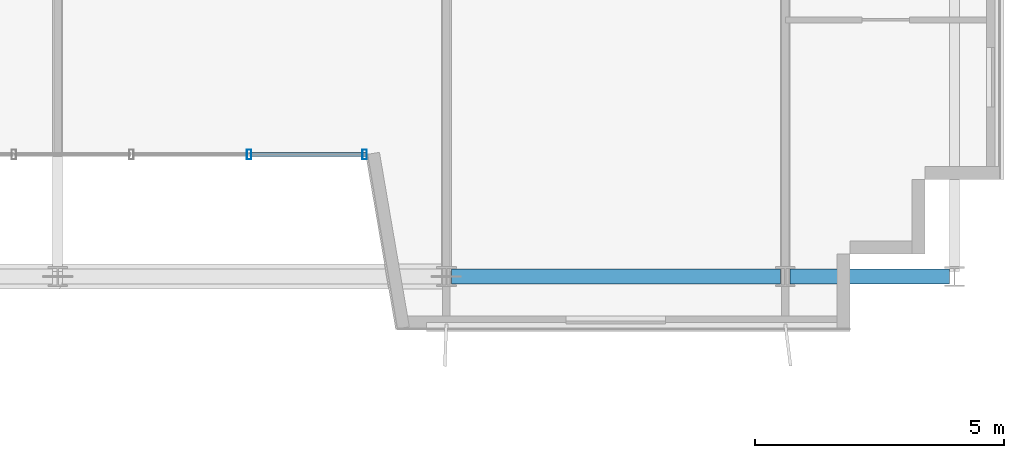
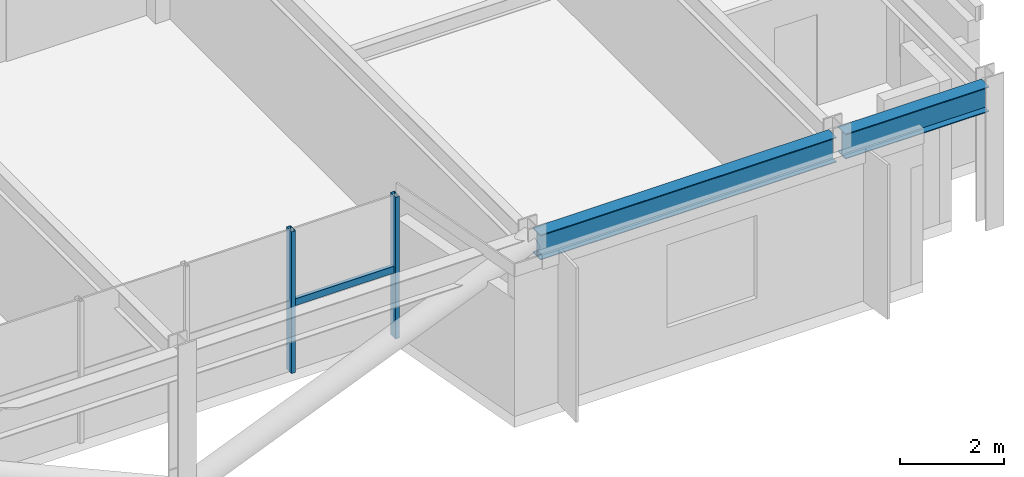
# One storey, part 7 of 26: 3 members, 2 beams, 1 element without a shape of its own.
"""IFC4 building model written with IfcOpenShell, lengths in metres."""

from ifc_helpers import new_model, si_unit, direction, frame, origin, origin_2d, place, context, subcontext, project, spatial, hollow_rectangle, i_section, extrude, source, transform, mapped, material, material_profile, profile_set, type_object, element, aggregate, save


model = new_model("IFC4")

# Units and contexts
model_context = context("Model", 3, precision=1e-05, world=origin(), true_north=direction((0.0, 1.0)))
body_context = subcontext(model_context, "Body", "Model", "MODEL_VIEW")
ifc_project = project(units=[si_unit("LENGTHUNIT", "METRE"), si_unit("AREAUNIT", "SQUARE_METRE"), si_unit("VOLUMEUNIT", "CUBIC_METRE"), si_unit("PLANEANGLEUNIT", "RADIAN"), si_unit("MASSUNIT", "GRAM", prefix="KILO")], contexts=[model_context])

# Site, building, storey
site_placement = place(None, origin())
site = spatial("IfcSite", under=ifc_project, at=site_placement, CompositionType="ELEMENT")
building_placement = place(site_placement, origin())
building = spatial("IfcBuilding", under=site, at=building_placement, Name="Trelvane Seafront Commons", CompositionType="ELEMENT")
storey_placement = place(building_placement, frame((0.0, 0.0, 124.89990234375)))
storey = spatial("IfcBuildingStorey", under=building, at=storey_placement, Name="L32", CompositionType="ELEMENT", Elevation=124.89990234375)

# Beams
ifc_material_1 = material(Name="Steel SM355 (S355)", Category="steel")
ifc_material_profile_1 = material_profile(ifc_material_1, i_section(OverallWidth=0.300048828125, OverallDepth=0.587890625, WebThickness=0.011962890625, FlangeThickness=0.02001953125, at=origin_2d()), Name="H-588x300x12x20")
ifc_profile_set_1 = profile_set([ifc_material_profile_1], Name="Steel SM355 (S355)")
beam_type = type_object("IfcBeamType", Name="STR-BM-H588", PredefinedType="BEAM", material=ifc_profile_set_1)
shared_shape_1 = source(origin(), body_context, "Body", "SweptSolid", [
    extrude(i_section(OverallWidth=0.300048828125, OverallDepth=0.587890625, WebThickness=0.011962890625, FlangeThickness=0.02001953125, at=origin_2d()), origin(), (0.0, 0.0, 1.0), 3.199951171875),
])
beam_1_placement = place(storey_placement, frame((65.699951171875, 3.949951171875, 3.046142578125), z_axis=(1.0, 0.0, 0.0), x_axis=(0.0, 1.0, 0.0)))
element("IfcBeam", 1, at=beam_1_placement, inside=storey, type_object=beam_type, Name="L32 Primary Girder G-09", PredefinedType="BEAM", context=body_context, shape_type="MappedRepresentation", body=[
    mapped(shared_shape_1, transform((0.0, 0.0, 0.0), x_axis=(1.0, 0.0, 0.0), y_axis=(0.0, 1.0, 0.0), z_axis=(0.0, 0.0, 1.0), scale=1.0)),
])
shared_shape_2 = source(origin(), body_context, "Body", "SweptSolid", [
    extrude(i_section(OverallWidth=0.300048828125, OverallDepth=0.587890625, WebThickness=0.011962890625, FlangeThickness=0.02001953125, at=origin_2d()), origin(), (0.0, 0.0, 1.0), 6.60009765625),
])
beam_2_placement = place(storey_placement, frame((58.89990234375, 3.949951171875, 3.046142578125), z_axis=(1.0, 0.0, 0.0), x_axis=(0.0, 1.0, 0.0)))
element("IfcBeam", 2, at=beam_2_placement, inside=storey, type_object=beam_type, Name="L32 Primary Girder G-08", PredefinedType="BEAM", context=body_context, shape_type="MappedRepresentation", body=[
    mapped(shared_shape_2, transform((0.0, 0.0, 0.0), x_axis=(1.0, 0.0, 0.0), y_axis=(0.0, 1.0, 0.0), z_axis=(0.0, 0.0, 1.0), scale=1.0)),
])

# Curtain wall, members
ifc_material_2 = material(Name="Anodised pale-silver aluminium", Category="aluminium")
curtain_wall_type = type_object("IfcCurtainWallType", Name="ARCH-CW3-PORTAL", PredefinedType="NOTDEFINED", material=ifc_material_2)
curtain_wall_placement = place(storey_placement, origin())
curtain_wall = element("IfcCurtainWall", 3, at=curtain_wall_placement, inside=storey, type_object=curtain_wall_type, Name="CW-L32-VN-0058", PredefinedType="NOTDEFINED")
ifc_material_profile_2 = material_profile(ifc_material_2, hollow_rectangle(XDim=0.090087890625, YDim=0.199951171875, WallThickness=0.0048828125, at=origin_2d()), Name="MULL-90x200x5")
ifc_profile_set_2 = profile_set([ifc_material_profile_2], Name="Anodised pale-silver aluminium")
member_type_1 = type_object("IfcMemberType", Name="ARCH-CW-MULL-200", PredefinedType="MULLION", material=ifc_profile_set_2)
shared_shape_3 = source(origin(), body_context, "Body", "SweptSolid", [
    extrude(hollow_rectangle(XDim=0.090087890625, YDim=0.199951171875, WallThickness=0.0048828125, at=origin_2d()), origin(), (0.0, 0.0, 1.0), 3.340087890625),
])
member_1_placement = place(storey_placement, frame((57.159912109375, 6.39990234375, 0.0), z_axis=(0.0, 0.0, 1.0), x_axis=(1.0, 0.0, 0.0)))
member_1 = element("IfcMember", 4, at=member_1_placement, type_object=member_type_1, Name="CW-L32-VN-0058-M00", PredefinedType="MULLION", context=body_context, shape_type="MappedRepresentation", body=[
    mapped(shared_shape_3, transform((0.0, 0.0, 0.0), x_axis=(1.0, 0.0, 0.0), y_axis=(0.0, 1.0, 0.0), z_axis=(0.0, 0.0, 1.0), scale=1.0)),
])
member_2_placement = place(storey_placement, frame((54.840087890625, 6.39990234375, 0.0), z_axis=(0.0, 0.0, 1.0), x_axis=(1.0, 0.0, 0.0)))
member_2 = element("IfcMember", 5, at=member_2_placement, type_object=member_type_1, Name="CW-L32-VN-0058-M01", PredefinedType="MULLION", context=body_context, shape_type="MappedRepresentation", body=[
    mapped(shared_shape_3, transform((0.0, 0.0, 0.0), x_axis=(1.0, 0.0, 0.0), y_axis=(0.0, 1.0, 0.0), z_axis=(0.0, 0.0, 1.0), scale=1.0)),
])
ifc_material_profile_3 = material_profile(ifc_material_2, hollow_rectangle(XDim=0.080078125, YDim=0.159912109375, WallThickness=0.00439453125, at=origin_2d()), Name="TRAN-80x160x4.5")
ifc_profile_set_3 = profile_set([ifc_material_profile_3], Name="Anodised pale-silver aluminium")
member_type_2 = type_object("IfcMemberType", Name="ARCH-CW-TRAN-160", PredefinedType="USERDEFINED", material=ifc_profile_set_3)
shared_shape_4 = source(origin(), body_context, "Body", "SweptSolid", [
    extrude(hollow_rectangle(XDim=0.080078125, YDim=0.159912109375, WallThickness=0.00439453125, at=origin_2d()), origin(), (0.0, 0.0, 1.0), 2.3359375),
])
member_3_placement = place(storey_placement, frame((57.18798828125, 6.39990234375, 1.60302734375), z_axis=(-1.0, 0.0, 0.0), x_axis=(0.0, -1.0, 0.0)))
member_3 = element("IfcMember", 6, at=member_3_placement, type_object=member_type_2, Name="CW-L32-VN-0058-T00", ObjectType="TRANSOM", PredefinedType="USERDEFINED", context=body_context, shape_type="MappedRepresentation", body=[
    mapped(shared_shape_4, transform((0.0, 0.0, 0.0), x_axis=(1.0, 0.0, 0.0), y_axis=(0.0, 1.0, 0.0), z_axis=(0.0, 0.0, 1.0), scale=1.0)),
])
aggregate(curtain_wall, [member_1, member_2, member_3])

save(model, "model.ifc")
